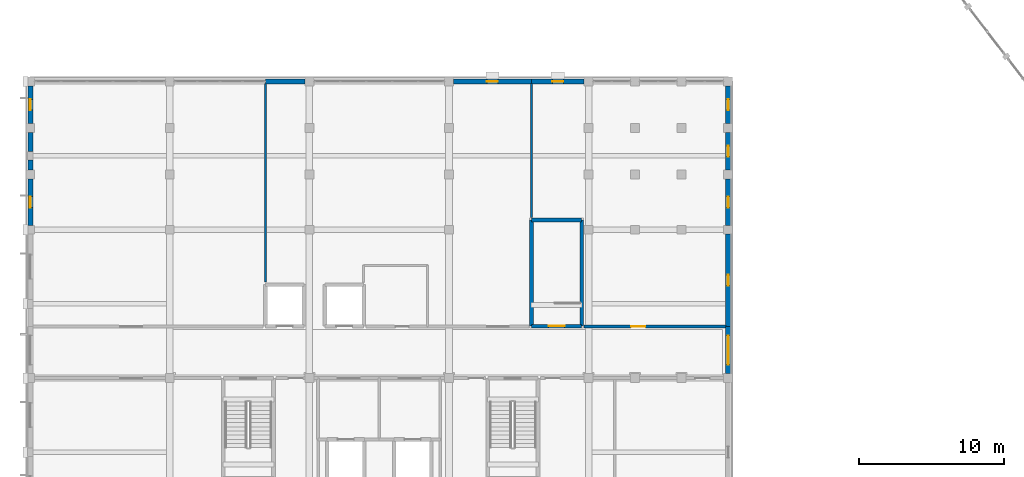
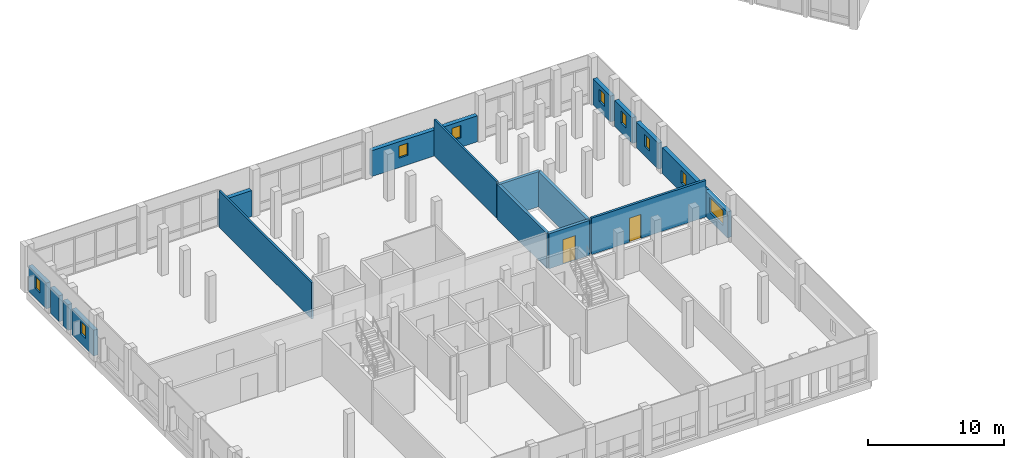
# One storey, part 81 of 93: 19 walls, 9 windows, 2 doors, 11 openings.
"""IFC4 building model written with IfcOpenShell, lengths in metres."""

from ifc_helpers import new_model, si_unit, direction, frame, frame_2d, origin, place, context, subcontext, project, spatial, rectangle, extrude, material, layer, layer_set, type_object, element, fill, save


model = new_model("IFC4")

# Units and contexts
model_context = context("Model", 3, precision=1e-05, world=origin(), true_north=direction((0.0, 1.0)))
body_context = subcontext(model_context, "Body", "Model", "MODEL_VIEW")
ifc_project = project(units=[si_unit("LENGTHUNIT", "METRE"), si_unit("AREAUNIT", "SQUARE_METRE"), si_unit("VOLUMEUNIT", "CUBIC_METRE"), si_unit("PLANEANGLEUNIT", "RADIAN"), si_unit("MASSUNIT", "GRAM", prefix="KILO")], contexts=[model_context])

# Site, building, storey
site_placement = place(None, origin())
site = spatial("IfcSite", under=ifc_project, at=site_placement, CompositionType="ELEMENT")
building_placement = place(site_placement, origin())
building = spatial("IfcBuilding", under=site, at=building_placement, Name="Vondelvale Polytechnic", CompositionType="ELEMENT")
storey_placement = place(building_placement, frame((0.0, 0.0, 18.0)))
storey = spatial("IfcBuildingStorey", under=building, at=storey_placement, Name="L04", CompositionType="ELEMENT", Elevation=18.0)

# Wall, opening, window
ifc_material_1 = material(Name="Amsterdam School iron-spot clinker clay brickwork", Category="masonry")
ifc_layer_1 = layer(ifc_material_1, 0.35009765625)
ifc_layer_set_1 = layer_set([ifc_layer_1], Name="WL-BRICK-350")
wall_type_1 = type_object("IfcWallType", Name="WL-BRICK-350", PredefinedType="SOLIDWALL", material=ifc_layer_set_1)
wall_1_placement = place(storey_placement, frame((0.0, 30.90087890625, 0.0), z_axis=(0.0, 0.0, 1.0), x_axis=(0.0, 1.0, 0.0)))
wall_1 = element("IfcWall", 1, at=wall_1_placement, inside=storey, type_object=wall_type_1, Name="L04 exterior masonry facade wall", PredefinedType="SOLIDWALL", context=body_context, shape_type="SweptSolid", body=[
    extrude(rectangle(XDim=3.1982421875, YDim=0.35009765625, at=frame_2d((1.59912109375, 0.0))), origin(), (0.0, 0.0, 1.0), 2.330078125),
])
opening_1_placement = place(wall_1_placement, frame((1.22412109375, 0.0, 0.85009765625)))
opening_1 = element("IfcOpeningElement", 2, at=opening_1_placement, cuts=wall_1, Name="Opening WN-0241", PredefinedType="OPENING", context=body_context, shape_type="SweptSolid", body=[
    extrude(rectangle(XDim=0.75, YDim=1.10009765625, at=frame_2d((0.375, 0.550048828125))), frame((0.0, 0.18505859375, 0.0), z_axis=(0.0, -1.0, 0.0), x_axis=(1.0, 0.0, 0.0)), (0.0, 0.0, 1.0), 0.3701171875),
])
ifc_material_2 = material(Name="Double-glazed low-E insulated architectural glass", Category="glass")
window_type_1 = type_object("IfcWindowType", Name="WN-WC-0750x1100", PartitioningType="SINGLE_PANEL", PredefinedType="WINDOW", material=ifc_material_2)
window_1_placement = place(opening_1_placement, origin())
window_1 = element("IfcWindow", 3, at=window_1_placement, inside=storey, type_object=window_type_1, Name="L04 double-glazed architectural window WN-0241", OverallHeight=1.10009765625, OverallWidth=0.75, PartitioningType="SINGLE_PANEL", PredefinedType="WINDOW", context=body_context, shape_type="SweptSolid", body=[
    extrude(rectangle(XDim=0.75, YDim=1.10009765625, at=frame_2d((0.375, 0.550048828125))), frame((0.0, 0.030029296875, 0.0), z_axis=(0.0, -1.0, 0.0), x_axis=(1.0, 0.0, 0.0)), (0.0, 0.0, 1.0), 0.06005859375),
])
fill(opening_1, window_1)

# Walls
wall_2_placement = place(storey_placement, frame((0.0, 34.700927734375, 0.0), z_axis=(0.0, 0.0, 1.0), x_axis=(0.0, 1.0, 0.0)))
element("IfcWall", 4, at=wall_2_placement, inside=storey, type_object=wall_type_1, Name="L04 exterior masonry facade wall", PredefinedType="SOLIDWALL", context=body_context, shape_type="SweptSolid", body=[
    extrude(rectangle(XDim=0.697998046875, YDim=0.35009765625, at=frame_2d((0.34912109375, 0.0))), origin(), (0.0, 0.0, 1.0), 2.330078125),
])
wall_3_placement = place(storey_placement, frame((0.0, 36.0009765625, 0.0), z_axis=(0.0, 0.0, 1.0), x_axis=(0.0, 1.0, 0.0)))
element("IfcWall", 5, at=wall_3_placement, inside=storey, type_object=wall_type_1, Name="L04 exterior masonry facade wall", PredefinedType="SOLIDWALL", context=body_context, shape_type="SweptSolid", body=[
    extrude(rectangle(XDim=1.298095703125, YDim=0.35009765625, at=frame_2d((0.64892578125, 0.0))), origin(), (0.0, 0.0, 1.0), 2.330078125),
])

# Wall, opening, window
wall_4_placement = place(storey_placement, frame((0.0, 37.90087890625, 0.0), z_axis=(0.0, 0.0, 1.0), x_axis=(0.0, 1.0, 0.0)))
wall_4 = element("IfcWall", 6, at=wall_4_placement, inside=storey, type_object=wall_type_1, Name="L04 exterior masonry facade wall", PredefinedType="SOLIDWALL", context=body_context, shape_type="SweptSolid", body=[
    extrude(rectangle(XDim=2.59814453125, YDim=0.35009765625, at=frame_2d((1.299072265625, 0.0))), origin(), (0.0, 0.0, 1.0), 2.330078125),
])
opening_2_placement = place(wall_4_placement, frame((0.924072265625, 0.0, 0.85009765625)))
opening_2 = element("IfcOpeningElement", 7, at=opening_2_placement, cuts=wall_4, Name="Opening WN-0242", PredefinedType="OPENING", context=body_context, shape_type="SweptSolid", body=[
    extrude(rectangle(XDim=0.75, YDim=1.10009765625, at=frame_2d((0.375, 0.550048828125))), frame((0.0, 0.18505859375, 0.0), z_axis=(0.0, -1.0, 0.0), x_axis=(1.0, 0.0, 0.0)), (0.0, 0.0, 1.0), 0.3701171875),
])
window_2_placement = place(opening_2_placement, origin())
window_2 = element("IfcWindow", 8, at=window_2_placement, inside=storey, type_object=window_type_1, Name="L04 double-glazed architectural window WN-0242", OverallHeight=1.10009765625, OverallWidth=0.75, PartitioningType="SINGLE_PANEL", PredefinedType="WINDOW", context=body_context, shape_type="SweptSolid", body=[
    extrude(rectangle(XDim=0.75, YDim=1.10009765625, at=frame_2d((0.375, 0.550048828125))), frame((0.0, 0.030029296875, 0.0), z_axis=(0.0, -1.0, 0.0), x_axis=(1.0, 0.0, 0.0)), (0.0, 0.0, 1.0), 0.06005859375),
])
fill(opening_2, window_2)

wall_5_placement = place(storey_placement, frame((48.0, 23.949951171875, 0.0), z_axis=(0.0, 0.0, 1.0), x_axis=(0.0, -1.0, 0.0)))
wall_5 = element("IfcWall", 9, at=wall_5_placement, inside=storey, type_object=wall_type_1, Name="L04 exterior masonry facade wall", PredefinedType="SOLIDWALL", context=body_context, shape_type="SweptSolid", body=[
    extrude(rectangle(XDim=3.2490234375, YDim=0.35009765625, at=frame_2d((1.62451171875, 0.0))), origin(), (0.0, 0.0, 1.0), 2.330078125),
])
opening_3_placement = place(wall_5_placement, frame((0.62451171875, 0.0, 0.75)))
opening_3 = element("IfcOpeningElement", 10, at=opening_3_placement, cuts=wall_5, Name="Opening WN-0245", PredefinedType="OPENING", context=body_context, shape_type="SweptSolid", body=[
    extrude(rectangle(XDim=2.0, YDim=1.35009765625, at=frame_2d((1.0, 0.675048828125))), frame((0.0, 0.18505859375, 0.0), z_axis=(0.0, -1.0, 0.0), x_axis=(1.0, 0.0, 0.0)), (0.0, 0.0, 1.0), 0.3701171875),
])
window_type_2 = type_object("IfcWindowType", Name="WN-RIB-2000x1350", PartitioningType="SINGLE_PANEL", PredefinedType="WINDOW", material=ifc_material_2)
window_3_placement = place(opening_3_placement, origin())
window_3 = element("IfcWindow", 11, at=window_3_placement, inside=storey, type_object=window_type_2, Name="L04 double-glazed architectural window WN-0245", OverallHeight=1.35009765625, OverallWidth=2.0, PartitioningType="SINGLE_PANEL", PredefinedType="WINDOW", context=body_context, shape_type="SweptSolid", body=[
    extrude(rectangle(XDim=2.0, YDim=1.35009765625, at=frame_2d((1.0, 0.675048828125))), frame((0.0, 0.030029296875, 0.0), z_axis=(0.0, -1.0, 0.0), x_axis=(1.0, 0.0, 0.0)), (0.0, 0.0, 1.0), 0.06005859375),
])
fill(opening_3, window_3)

wall_6_placement = place(storey_placement, frame((48.0, 30.299072265625, 0.0), z_axis=(0.0, 0.0, 1.0), x_axis=(0.0, -1.0, 0.0)))
wall_6 = element("IfcWall", 12, at=wall_6_placement, inside=storey, type_object=wall_type_1, Name="L04 exterior masonry facade wall", PredefinedType="SOLIDWALL", context=body_context, shape_type="SweptSolid", body=[
    extrude(rectangle(XDim=6.34912109375, YDim=0.35009765625, at=frame_2d((3.174560546875, 0.0))), origin(), (0.0, 0.0, 1.0), 2.330078125),
])
opening_4_placement = place(wall_6_placement, frame((2.799560546875, 0.0, 0.85009765625)))
opening_4 = element("IfcOpeningElement", 13, at=opening_4_placement, cuts=wall_6, Name="Opening WN-0246", PredefinedType="OPENING", context=body_context, shape_type="SweptSolid", body=[
    extrude(rectangle(XDim=0.75, YDim=1.10009765625, at=frame_2d((0.375, 0.550048828125))), frame((0.0, 0.18505859375, 0.0), z_axis=(0.0, -1.0, 0.0), x_axis=(1.0, 0.0, 0.0)), (0.0, 0.0, 1.0), 0.3701171875),
])
window_4_placement = place(opening_4_placement, origin())
window_4 = element("IfcWindow", 14, at=window_4_placement, inside=storey, type_object=window_type_1, Name="L04 double-glazed architectural window WN-0246", OverallHeight=1.10009765625, OverallWidth=0.75, PartitioningType="SINGLE_PANEL", PredefinedType="WINDOW", context=body_context, shape_type="SweptSolid", body=[
    extrude(rectangle(XDim=0.75, YDim=1.10009765625, at=frame_2d((0.375, 0.550048828125))), frame((0.0, 0.030029296875, 0.0), z_axis=(0.0, -1.0, 0.0), x_axis=(1.0, 0.0, 0.0)), (0.0, 0.0, 1.0), 0.06005859375),
])
fill(opening_4, window_4)

wall_7_placement = place(storey_placement, frame((48.0, 40.4990234375, 0.0), z_axis=(0.0, 0.0, 1.0), x_axis=(0.0, -1.0, 0.0)))
wall_7 = element("IfcWall", 15, at=wall_7_placement, inside=storey, type_object=wall_type_1, Name="L04 exterior masonry facade wall", PredefinedType="SOLIDWALL", context=body_context, shape_type="SweptSolid", body=[
    extrude(rectangle(XDim=2.59814453125, YDim=0.35009765625, at=frame_2d((1.299072265625, 0.0))), origin(), (0.0, 0.0, 1.0), 2.330078125),
])
opening_5_placement = place(wall_7_placement, frame((0.924072265625, 0.0, 0.85009765625)))
opening_5 = element("IfcOpeningElement", 16, at=opening_5_placement, cuts=wall_7, Name="Opening WN-0247", PredefinedType="OPENING", context=body_context, shape_type="SweptSolid", body=[
    extrude(rectangle(XDim=0.75, YDim=1.10009765625, at=frame_2d((0.375, 0.550048828125))), frame((0.0, 0.18505859375, 0.0), z_axis=(0.0, -1.0, 0.0), x_axis=(1.0, 0.0, 0.0)), (0.0, 0.0, 1.0), 0.3701171875),
])
window_5_placement = place(opening_5_placement, origin())
window_5 = element("IfcWindow", 17, at=window_5_placement, inside=storey, type_object=window_type_1, Name="L04 double-glazed architectural window WN-0247", OverallHeight=1.10009765625, OverallWidth=0.75, PartitioningType="SINGLE_PANEL", PredefinedType="WINDOW", context=body_context, shape_type="SweptSolid", body=[
    extrude(rectangle(XDim=0.75, YDim=1.10009765625, at=frame_2d((0.375, 0.550048828125))), frame((0.0, 0.030029296875, 0.0), z_axis=(0.0, -1.0, 0.0), x_axis=(1.0, 0.0, 0.0)), (0.0, 0.0, 1.0), 0.06005859375),
])
fill(opening_5, window_5)

wall_8_placement = place(storey_placement, frame((48.0, 37.299072265625, 0.0), z_axis=(0.0, 0.0, 1.0), x_axis=(0.0, -1.0, 0.0)))
wall_8 = element("IfcWall", 18, at=wall_8_placement, inside=storey, type_object=wall_type_1, Name="L04 exterior masonry facade wall", PredefinedType="SOLIDWALL", context=body_context, shape_type="SweptSolid", body=[
    extrude(rectangle(XDim=2.59814453125, YDim=0.35009765625, at=frame_2d((1.299072265625, 0.0))), origin(), (0.0, 0.0, 1.0), 2.330078125),
])
opening_6_placement = place(wall_8_placement, frame((0.924072265625, 0.0, 0.85009765625)))
opening_6 = element("IfcOpeningElement", 19, at=opening_6_placement, cuts=wall_8, Name="Opening WN-0248", PredefinedType="OPENING", context=body_context, shape_type="SweptSolid", body=[
    extrude(rectangle(XDim=0.75, YDim=1.10009765625, at=frame_2d((0.375, 0.550048828125))), frame((0.0, 0.18505859375, 0.0), z_axis=(0.0, -1.0, 0.0), x_axis=(1.0, 0.0, 0.0)), (0.0, 0.0, 1.0), 0.3701171875),
])
window_6_placement = place(opening_6_placement, origin())
window_6 = element("IfcWindow", 20, at=window_6_placement, inside=storey, type_object=window_type_1, Name="L04 double-glazed architectural window WN-0248", OverallHeight=1.10009765625, OverallWidth=0.75, PartitioningType="SINGLE_PANEL", PredefinedType="WINDOW", context=body_context, shape_type="SweptSolid", body=[
    extrude(rectangle(XDim=0.75, YDim=1.10009765625, at=frame_2d((0.375, 0.550048828125))), frame((0.0, 0.030029296875, 0.0), z_axis=(0.0, -1.0, 0.0), x_axis=(1.0, 0.0, 0.0)), (0.0, 0.0, 1.0), 0.06005859375),
])
fill(opening_6, window_6)

wall_9_placement = place(storey_placement, frame((48.0, 34.09912109375, 0.0), z_axis=(0.0, 0.0, 1.0), x_axis=(0.0, -1.0, 0.0)))
wall_9 = element("IfcWall", 21, at=wall_9_placement, inside=storey, type_object=wall_type_1, Name="L04 exterior masonry facade wall", PredefinedType="SOLIDWALL", context=body_context, shape_type="SweptSolid", body=[
    extrude(rectangle(XDim=3.1982421875, YDim=0.35009765625, at=frame_2d((1.59912109375, 0.0))), origin(), (0.0, 0.0, 1.0), 2.330078125),
])
opening_7_placement = place(wall_9_placement, frame((1.22412109375, 0.0, 0.85009765625)))
opening_7 = element("IfcOpeningElement", 22, at=opening_7_placement, cuts=wall_9, Name="Opening WN-0249", PredefinedType="OPENING", context=body_context, shape_type="SweptSolid", body=[
    extrude(rectangle(XDim=0.75, YDim=1.10009765625, at=frame_2d((0.375, 0.550048828125))), frame((0.0, 0.18505859375, 0.0), z_axis=(0.0, -1.0, 0.0), x_axis=(1.0, 0.0, 0.0)), (0.0, 0.0, 1.0), 0.3701171875),
])
window_7_placement = place(opening_7_placement, origin())
window_7 = element("IfcWindow", 23, at=window_7_placement, inside=storey, type_object=window_type_1, Name="L04 double-glazed architectural window WN-0249", OverallHeight=1.10009765625, OverallWidth=0.75, PartitioningType="SINGLE_PANEL", PredefinedType="WINDOW", context=body_context, shape_type="SweptSolid", body=[
    extrude(rectangle(XDim=0.75, YDim=1.10009765625, at=frame_2d((0.375, 0.550048828125))), frame((0.0, 0.030029296875, 0.0), z_axis=(0.0, -1.0, 0.0), x_axis=(1.0, 0.0, 0.0)), (0.0, 0.0, 1.0), 0.06005859375),
])
fill(opening_7, window_7)

# Wall
wall_10_placement = place(storey_placement, frame((16.175048828125, 40.800048828125, 0.0), z_axis=(0.0, 0.0, 1.0), x_axis=(1.0, 0.0, 0.0)))
element("IfcWall", 24, at=wall_10_placement, inside=storey, type_object=wall_type_1, Name="L04 exterior masonry facade wall", PredefinedType="SOLIDWALL", context=body_context, shape_type="SweptSolid", body=[
    extrude(rectangle(XDim=2.723876953125, YDim=0.35009765625, at=frame_2d((1.36181640625, 0.0))), origin(), (0.0, 0.0, 1.0), 2.330078125),
])

# Wall, opening, window
wall_11_placement = place(storey_placement, frame((29.10107421875, 40.800048828125, 0.0), z_axis=(0.0, 0.0, 1.0), x_axis=(1.0, 0.0, 0.0)))
wall_11 = element("IfcWall", 25, at=wall_11_placement, inside=storey, type_object=wall_type_1, Name="L04 exterior masonry facade wall", PredefinedType="SOLIDWALL", context=body_context, shape_type="SweptSolid", body=[
    extrude(rectangle(XDim=5.3740234375, YDim=0.35009765625, at=frame_2d((2.68701171875, 0.0))), origin(), (0.0, 0.0, 1.0), 2.330078125),
])
opening_8_placement = place(wall_11_placement, frame((2.31201171875, 0.0, 0.85009765625)))
opening_8 = element("IfcOpeningElement", 26, at=opening_8_placement, cuts=wall_11, Name="Opening WN-0250", PredefinedType="OPENING", context=body_context, shape_type="SweptSolid", body=[
    extrude(rectangle(XDim=0.75, YDim=1.10009765625, at=frame_2d((0.375, 0.550048828125))), frame((0.0, 0.18505859375, 0.0), z_axis=(0.0, -1.0, 0.0), x_axis=(1.0, 0.0, 0.0)), (0.0, 0.0, 1.0), 0.3701171875),
])
window_8_placement = place(opening_8_placement, origin())
window_8 = element("IfcWindow", 27, at=window_8_placement, inside=storey, type_object=window_type_1, Name="L04 double-glazed architectural window WN-0250", OverallHeight=1.10009765625, OverallWidth=0.75, PartitioningType="SINGLE_PANEL", PredefinedType="WINDOW", context=body_context, shape_type="SweptSolid", body=[
    extrude(rectangle(XDim=0.75, YDim=1.10009765625, at=frame_2d((0.375, 0.550048828125))), frame((0.0, 0.030029296875, 0.0), z_axis=(0.0, -1.0, 0.0), x_axis=(1.0, 0.0, 0.0)), (0.0, 0.0, 1.0), 0.06005859375),
])
fill(opening_8, window_8)

wall_12_placement = place(storey_placement, frame((34.47509765625, 40.800048828125, 0.0), z_axis=(0.0, 0.0, 1.0), x_axis=(1.0, 0.0, 0.0)))
wall_12 = element("IfcWall", 28, at=wall_12_placement, inside=storey, type_object=wall_type_1, Name="L04 exterior masonry facade wall", PredefinedType="SOLIDWALL", context=body_context, shape_type="SweptSolid", body=[
    extrude(rectangle(XDim=3.6240234375, YDim=0.35009765625, at=frame_2d((1.81201171875, 0.0))), origin(), (0.0, 0.0, 1.0), 2.330078125),
])
opening_9_placement = place(wall_12_placement, frame((1.43701171875, 0.0, 0.85009765625)))
opening_9 = element("IfcOpeningElement", 29, at=opening_9_placement, cuts=wall_12, Name="Opening WN-0251", PredefinedType="OPENING", context=body_context, shape_type="SweptSolid", body=[
    extrude(rectangle(XDim=0.75, YDim=1.10009765625, at=frame_2d((0.375, 0.550048828125))), frame((0.0, 0.18505859375, 0.0), z_axis=(0.0, -1.0, 0.0), x_axis=(1.0, 0.0, 0.0)), (0.0, 0.0, 1.0), 0.3701171875),
])
window_9_placement = place(opening_9_placement, origin())
window_9 = element("IfcWindow", 30, at=window_9_placement, inside=storey, type_object=window_type_1, Name="L04 double-glazed architectural window WN-0251", OverallHeight=1.10009765625, OverallWidth=0.75, PartitioningType="SINGLE_PANEL", PredefinedType="WINDOW", context=body_context, shape_type="SweptSolid", body=[
    extrude(rectangle(XDim=0.75, YDim=1.10009765625, at=frame_2d((0.375, 0.550048828125))), frame((0.0, 0.030029296875, 0.0), z_axis=(0.0, -1.0, 0.0), x_axis=(1.0, 0.0, 0.0)), (0.0, 0.0, 1.0), 0.06005859375),
])
fill(opening_9, window_9)

# Walls
ifc_material_3 = material(Name="Concrete N40 (f'c = 40 MPa)", Category="concrete")
ifc_layer_2 = layer(ifc_material_3, 0.25)
ifc_layer_set_2 = layer_set([ifc_layer_2], Name="WL-CORE-250")
wall_type_2 = type_object("IfcWallType", Name="WL-CORE-250", PredefinedType="SOLIDWALL", material=ifc_layer_set_2)
wall_13_placement = place(storey_placement, frame((37.925048828125, 23.97509765625, 0.0), z_axis=(0.0, 0.0, 1.0), x_axis=(0.0, 1.0, 0.0)))
element("IfcWall", 31, at=wall_13_placement, inside=storey, type_object=wall_type_2, Name="L04 ST-05 reinforced concrete stair core wall", PredefinedType="SOLIDWALL", context=body_context, shape_type="SweptSolid", body=[
    extrude(rectangle(XDim=7.2998046875, YDim=0.25, at=frame_2d((3.64990234375, 0.0))), origin(), (0.0, 0.0, 1.0), 3.14990234375),
])
wall_14_placement = place(storey_placement, frame((37.925048828125, 31.27490234375, 0.0), z_axis=(0.0, 0.0, 1.0), x_axis=(-1.0, 0.0, 0.0)))
element("IfcWall", 32, at=wall_14_placement, inside=storey, type_object=wall_type_2, Name="L04 ST-05 reinforced concrete stair core wall", PredefinedType="SOLIDWALL", context=body_context, shape_type="SweptSolid", body=[
    extrude(rectangle(XDim=3.449951171875, YDim=0.25, at=frame_2d((1.72509765625, 0.0))), origin(), (0.0, 0.0, 1.0), 3.14990234375),
])
wall_15_placement = place(storey_placement, frame((34.47509765625, 31.27490234375, 0.0), z_axis=(0.0, 0.0, 1.0), x_axis=(0.0, -1.0, 0.0)))
element("IfcWall", 33, at=wall_15_placement, inside=storey, type_object=wall_type_2, Name="L04 ST-05 reinforced concrete stair core wall", PredefinedType="SOLIDWALL", context=body_context, shape_type="SweptSolid", body=[
    extrude(rectangle(XDim=7.2998046875, YDim=0.25, at=frame_2d((3.64990234375, 0.0))), origin(), (0.0, 0.0, 1.0), 3.14990234375),
])

# Wall, opening, door
wall_16_placement = place(storey_placement, frame((34.47509765625, 23.97509765625, 0.0), z_axis=(0.0, 0.0, 1.0), x_axis=(1.0, 0.0, 0.0)))
wall_16 = element("IfcWall", 34, at=wall_16_placement, inside=storey, type_object=wall_type_2, Name="L04 ST-05 reinforced concrete stair core wall", PredefinedType="SOLIDWALL", context=body_context, shape_type="SweptSolid", body=[
    extrude(rectangle(XDim=3.449951171875, YDim=0.25, at=frame_2d((1.72509765625, 0.0))), origin(), (0.0, 0.0, 1.0), 3.14990234375),
])
opening_10_placement = place(wall_16_placement, frame((1.175048828125, 0.0, 0.0)))
opening_10 = element("IfcOpeningElement", 35, at=opening_10_placement, cuts=wall_16, Name="Opening SD-032", PredefinedType="OPENING", context=body_context, shape_type="SweptSolid", body=[
    extrude(rectangle(XDim=1.10009765625, YDim=2.199951171875, at=frame_2d((0.550048828125, 1.10009765625))), frame((0.0, 0.135009765625, 0.0), z_axis=(0.0, -1.0, 0.0), x_axis=(1.0, 0.0, 0.0)), (0.0, 0.0, 1.0), 0.27001953125),
])
ifc_material_4 = material(Name="Brushed architectural stainless and zinc-coated metal")
door_type_1 = type_object("IfcDoorType", Name="DR-STAIR-1100x2200", OperationType="SINGLE_SWING_LEFT", PredefinedType="DOOR", material=ifc_material_4)
door_1_placement = place(opening_10_placement, origin())
door_1 = element("IfcDoor", 36, at=door_1_placement, inside=storey, type_object=door_type_1, Name="L04 ST-05 fire-isolated stair door", OperationType="SINGLE_SWING_RIGHT", OverallHeight=2.199951171875, OverallWidth=1.10009765625, PredefinedType="DOOR", context=body_context, shape_type="SweptSolid", body=[
    extrude(rectangle(XDim=1.10009765625, YDim=2.199951171875, at=frame_2d((0.550048828125, 1.10009765625))), frame((0.0, 0.02490234375, 0.0), z_axis=(0.0, -1.0, 0.0), x_axis=(1.0, 0.0, 0.0)), (0.0, 0.0, 1.0), 0.050048828125),
])
fill(opening_10, door_1)

ifc_material_5 = material(Name="Fire-rated double-layer plasterboard stud partition")
ifc_layer_3 = layer(ifc_material_5, 0.199951171875)
ifc_layer_set_3 = layer_set([ifc_layer_3], Name="WL-CORR-200")
wall_type_3 = type_object("IfcWallType", Name="WL-CORR-200", PredefinedType="PARTITIONING", material=ifc_layer_set_3)
wall_17_placement = place(storey_placement, frame((38.090087890625, 23.949951171875, 0.0), z_axis=(0.0, 0.0, 1.0), x_axis=(1.0, 0.0, 0.0)))
wall_17 = element("IfcWall", 37, at=wall_17_placement, inside=storey, type_object=wall_type_3, Name="L04 interior acoustic partition", PredefinedType="PARTITIONING", context=body_context, shape_type="SweptSolid", body=[
    extrude(rectangle(XDim=9.760009765625, YDim=0.199951171875, at=frame_2d((4.8798828125, 0.0))), origin(), (0.0, 0.0, 1.0), 3.280029296875),
])
opening_11_placement = place(wall_17_placement, frame((3.235107421875, 0.0, 0.0)))
opening_11 = element("IfcOpeningElement", 38, at=opening_11_placement, cuts=wall_17, Name="Opening ID-0185", PredefinedType="OPENING", context=body_context, shape_type="SweptSolid", body=[
    extrude(rectangle(XDim=0.97998046875, YDim=2.14990234375, at=frame_2d((0.489990234375, 1.074951171875))), frame((0.0, 0.10986328125, 0.0), z_axis=(0.0, -1.0, 0.0), x_axis=(1.0, 0.0, 0.0)), (0.0, 0.0, 1.0), 0.219970703125),
])
ifc_material_6 = material(Name="Fire-rated solid Tasmanian oak joinery")
door_type_2 = type_object("IfcDoorType", Name="DR-INT-0980x2150", OperationType="SINGLE_SWING_RIGHT", PredefinedType="DOOR", material=ifc_material_6)
door_2_placement = place(opening_11_placement, origin())
door_2 = element("IfcDoor", 39, at=door_2_placement, inside=storey, type_object=door_type_2, Name="L04 interior room door ID-0185", OperationType="SINGLE_SWING_LEFT", OverallHeight=2.14990234375, OverallWidth=0.97998046875, PredefinedType="DOOR", context=body_context, shape_type="SweptSolid", body=[
    extrude(rectangle(XDim=0.97998046875, YDim=2.14990234375, at=frame_2d((0.489990234375, 1.074951171875))), frame((0.0, 0.02490234375, 0.0), z_axis=(0.0, -1.0, 0.0), x_axis=(1.0, 0.0, 0.0)), (0.0, 0.0, 1.0), 0.050048828125),
])
fill(opening_11, door_2)

# Walls
ifc_layer_4 = layer(ifc_material_5, 0.1650390625)
ifc_layer_set_4 = layer_set([ifc_layer_4], Name="WL-INT-165")
wall_type_4 = type_object("IfcWallType", Name="WL-INT-165", PredefinedType="PARTITIONING", material=ifc_layer_set_4)
wall_18_placement = place(storey_placement, frame((16.175048828125, 26.989990234375, 0.0), z_axis=(0.0, 0.0, 1.0), x_axis=(0.0, 1.0, 0.0)))
element("IfcWall", 40, at=wall_18_placement, inside=storey, type_object=wall_type_4, Name="L04 interior acoustic partition", PredefinedType="PARTITIONING", context=body_context, shape_type="SweptSolid", body=[
    extrude(rectangle(XDim=13.659912109375, YDim=0.1650390625, at=frame_2d((6.830078125, 0.0))), origin(), (0.0, 0.0, 1.0), 3.280029296875),
])
wall_19_placement = place(storey_placement, frame((34.47509765625, 31.43994140625, 0.0), z_axis=(0.0, 0.0, 1.0), x_axis=(0.0, 1.0, 0.0)))
element("IfcWall", 41, at=wall_19_placement, inside=storey, type_object=wall_type_4, Name="L04 interior acoustic partition", PredefinedType="PARTITIONING", context=body_context, shape_type="SweptSolid", body=[
    extrude(rectangle(XDim=9.2099609375, YDim=0.1650390625, at=frame_2d((4.60498046875, 0.0))), origin(), (0.0, 0.0, 1.0), 3.280029296875),
])

save(model, "model.ifc")
